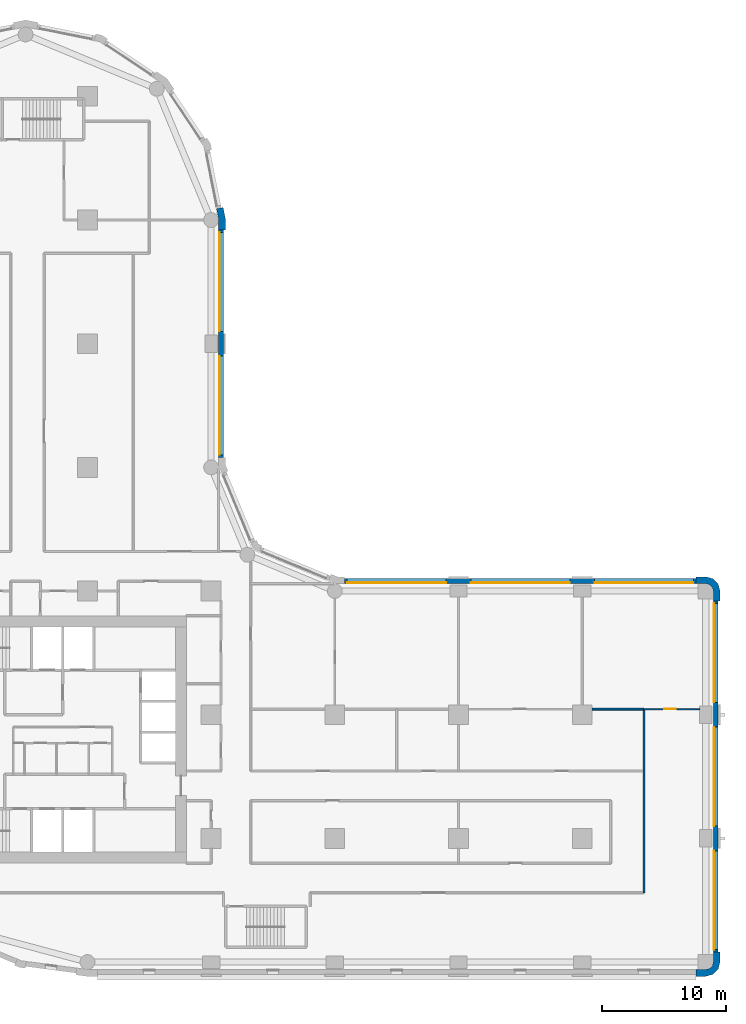
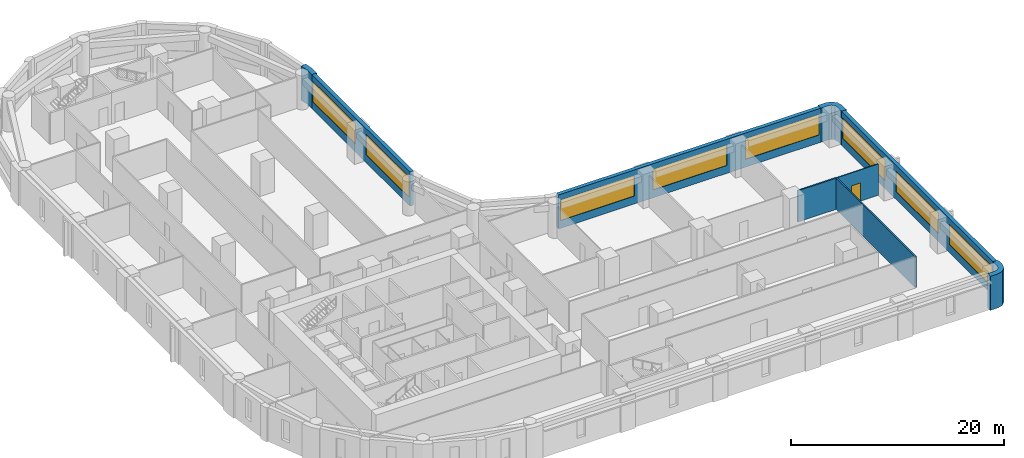
# One storey, part 6 of 10: 9 walls, 8 windows, 1 door, 9 openings.
"""IFC4 building model written with IfcOpenShell, lengths in metres."""

from ifc_helpers import new_model, si_unit, direction, frame, frame_2d, origin, place, context, subcontext, project, spatial, polyline, rectangle, outline, extrude, material, layer, layer_set, type_object, element, fill, save


model = new_model("IFC4")

# Units and contexts
model_context = context("Model", 3, precision=1e-05, world=origin(), true_north=direction((0.0, 1.0)))
body_context = subcontext(model_context, "Body", "Model", "MODEL_VIEW")
ifc_project = project(units=[si_unit("LENGTHUNIT", "METRE"), si_unit("AREAUNIT", "SQUARE_METRE"), si_unit("VOLUMEUNIT", "CUBIC_METRE"), si_unit("PLANEANGLEUNIT", "RADIAN"), si_unit("MASSUNIT", "GRAM", prefix="KILO")], contexts=[model_context])

# Site, building, storey
site_placement = place(None, origin())
site = spatial("IfcSite", under=ifc_project, at=site_placement, CompositionType="ELEMENT")
building_placement = place(site_placement, origin())
building = spatial("IfcBuilding", under=site, at=building_placement, Name="Qaws Garden Tower", CompositionType="ELEMENT")
storey_placement = place(building_placement, frame((0.0, 0.0, 70.5)))
storey = spatial("IfcBuildingStorey", under=building, at=storey_placement, Name="L17", CompositionType="ELEMENT", Elevation=70.5)

# Walls
ifc_material_1 = material(Name="Clay facing brick masonry", Category="masonry")
ifc_layer_1 = layer(ifc_material_1, 0.550048828125)
ifc_layer_set_1 = layer_set([ifc_layer_1], Name="Clay facing brick masonry")
wall_type_1 = type_object("IfcWallType", Name="Brick corner pier 550 x 2400", PredefinedType="SOLIDWALL", material=ifc_layer_set_1)
placement = place(storey_placement, origin())
element("IfcWall", 1, at=placement, inside=storey, type_object=wall_type_1, Name="E-L17-pier-05", PredefinedType="SOLIDWALL", context=body_context, shape_type="SweptSolid", body=[
    extrude(outline(polyline([(69.199951171875, -1.0), (69.199951171875, -1.14990234375), (70.0, -1.14990234375), (70.574951171875, -0.995849609375), (70.995849609375, -0.574951171875), (71.14990234375, 0.0), (71.14990234375, 0.800048828125), (71.0, 0.800048828125), (70.60009765625, 0.800048828125), (70.60009765625, 0.0), (70.51953125, -0.300048828125), (70.300048828125, -0.51953125), (70.0, -0.60009765625), (69.199951171875, -0.60009765625), (69.199951171875, -1.0)])), origin(), (0.0, 0.0, 1.0), 3.89990234375),
])
element("IfcWall", 2, at=placement, inside=storey, type_object=wall_type_1, Name="E-L17-pier-08", PredefinedType="SOLIDWALL", context=body_context, shape_type="SweptSolid", body=[
    extrude(outline(polyline([(71.0, 29.199951171875), (71.14990234375, 29.199951171875), (71.14990234375, 30.0), (70.995849609375, 30.574951171875), (70.574951171875, 30.995849609375), (70.0, 31.14990234375), (69.199951171875, 31.14990234375), (69.199951171875, 31.0), (69.199951171875, 30.60009765625), (70.0, 30.60009765625), (70.300048828125, 30.51953125), (70.51953125, 30.300048828125), (70.60009765625, 30.0), (70.60009765625, 29.199951171875), (71.0, 29.199951171875)])), origin(), (0.0, 0.0, 1.0), 3.89990234375),
])

# Wall, openings, windows
ifc_material_2 = material(Name="Clay facing brick masonry", Category="masonry")
ifc_layer_2 = layer(ifc_material_2, 0.39990234375)
ifc_layer_set_2 = layer_set([ifc_layer_2], Name="Clay facing brick masonry")
wall_type_2 = type_object("IfcWallType", Name="Brick infill wall 400", PredefinedType="SOLIDWALL", material=ifc_layer_set_2)
wall_3_placement = place(storey_placement, frame((70.800048828125, 0.800048828125, 0.0), z_axis=(0.0, 0.0, 1.0), x_axis=(0.0, 1.0, 0.0)))
wall_3 = element("IfcWall", 3, at=wall_3_placement, inside=storey, type_object=wall_type_2, Name="E-L17-infill-05", PredefinedType="SOLIDWALL", context=body_context, shape_type="SweptSolid", body=[
    extrude(rectangle(XDim=28.39990234375, YDim=0.39990234375, at=frame_2d((14.199951171875, 0.0))), origin(), (0.0, 0.0, 1.0), 3.89990234375),
])
opening_1_placement = place(wall_3_placement, frame((0.199951171875, 0.0, 0.89990234375)))
opening_1 = element("IfcOpeningElement", 4, at=opening_1_placement, cuts=wall_3, Name="Opening W01", PredefinedType="OPENING", context=body_context, shape_type="SweptSolid", body=[
    extrude(rectangle(XDim=8.0, YDim=2.35009765625, at=frame_2d((4.0, 1.175048828125))), frame((0.0, 0.2099609375, 0.0), z_axis=(0.0, -1.0, 0.0), x_axis=(1.0, 0.0, 0.0)), (0.0, 0.0, 1.0), 0.419921875),
])
opening_2_placement = place(wall_3_placement, frame((10.199951171875, 0.0, 0.89990234375)))
opening_2 = element("IfcOpeningElement", 5, at=opening_2_placement, cuts=wall_3, Name="Opening W01", PredefinedType="OPENING", context=body_context, shape_type="SweptSolid", body=[
    extrude(rectangle(XDim=8.0, YDim=2.35009765625, at=frame_2d((4.0, 1.175048828125))), frame((0.0, 0.2099609375, 0.0), z_axis=(0.0, -1.0, 0.0), x_axis=(1.0, 0.0, 0.0)), (0.0, 0.0, 1.0), 0.419921875),
])
opening_3_placement = place(wall_3_placement, frame((20.199951171875, 0.0, 0.89990234375)))
opening_3 = element("IfcOpeningElement", 6, at=opening_3_placement, cuts=wall_3, Name="Opening W01", PredefinedType="OPENING", context=body_context, shape_type="SweptSolid", body=[
    extrude(rectangle(XDim=8.0, YDim=2.35009765625, at=frame_2d((4.0, 1.175048828125))), frame((0.0, 0.2099609375, 0.0), z_axis=(0.0, -1.0, 0.0), x_axis=(1.0, 0.0, 0.0)), (0.0, 0.0, 1.0), 0.419921875),
])
ifc_material_3 = material(Name="Aluminium framed window, clear glazing", Category="aluminium")
window_type = type_object("IfcWindowType", Name="Ribbon window 8000 x 2350", PartitioningType="DOUBLE_PANEL_VERTICAL", PredefinedType="WINDOW", material=ifc_material_3)
window_1_placement = place(opening_1_placement, origin())
window_1 = element("IfcWindow", 7, at=window_1_placement, inside=storey, type_object=window_type, Name="E-L17-window-05-0", OverallHeight=2.35009765625, OverallWidth=8.0, PartitioningType="SINGLE_PANEL", PredefinedType="WINDOW", context=body_context, shape_type="SweptSolid", body=[
    extrude(rectangle(XDim=8.0, YDim=2.35009765625, at=frame_2d((4.0, 1.175048828125))), frame((0.0, 0.159912109375, 0.0), z_axis=(0.0, -1.0, 0.0), x_axis=(1.0, 0.0, 0.0)), (0.0, 0.0, 1.0), 0.06005859375),
])
fill(opening_1, window_1)
window_2_placement = place(opening_2_placement, origin())
window_2 = element("IfcWindow", 8, at=window_2_placement, inside=storey, type_object=window_type, Name="E-L17-window-06-0", OverallHeight=2.35009765625, OverallWidth=8.0, PartitioningType="SINGLE_PANEL", PredefinedType="WINDOW", context=body_context, shape_type="SweptSolid", body=[
    extrude(rectangle(XDim=8.0, YDim=2.35009765625, at=frame_2d((4.0, 1.175048828125))), frame((0.0, 0.159912109375, 0.0), z_axis=(0.0, -1.0, 0.0), x_axis=(1.0, 0.0, 0.0)), (0.0, 0.0, 1.0), 0.06005859375),
])
fill(opening_2, window_2)
window_3_placement = place(opening_3_placement, origin())
window_3 = element("IfcWindow", 9, at=window_3_placement, inside=storey, type_object=window_type, Name="E-L17-window-07-0", OverallHeight=2.35009765625, OverallWidth=8.0, PartitioningType="SINGLE_PANEL", PredefinedType="WINDOW", context=body_context, shape_type="SweptSolid", body=[
    extrude(rectangle(XDim=8.0, YDim=2.35009765625, at=frame_2d((4.0, 1.175048828125))), frame((0.0, 0.159912109375, 0.0), z_axis=(0.0, -1.0, 0.0), x_axis=(1.0, 0.0, 0.0)), (0.0, 0.0, 1.0), 0.06005859375),
])
fill(opening_3, window_3)

wall_4_placement = place(storey_placement, frame((69.199951171875, 30.800048828125, 0.0), z_axis=(0.0, 0.0, 1.0), x_axis=(-1.0, 0.0, 0.0)))
wall_4 = element("IfcWall", 10, at=wall_4_placement, inside=storey, type_object=wall_type_2, Name="E-L17-infill-08", PredefinedType="SOLIDWALL", context=body_context, shape_type="SweptSolid", body=[
    extrude(rectangle(XDim=28.39990234375, YDim=0.39990234375, at=frame_2d((14.199951171875, 0.0))), origin(), (0.0, 0.0, 1.0), 3.89990234375),
])
opening_4_placement = place(wall_4_placement, frame((0.199951171875, 0.0, 0.89990234375)))
opening_4 = element("IfcOpeningElement", 11, at=opening_4_placement, cuts=wall_4, Name="Opening W01", PredefinedType="OPENING", context=body_context, shape_type="SweptSolid", body=[
    extrude(rectangle(XDim=8.0, YDim=2.35009765625, at=frame_2d((4.0, 1.175048828125))), frame((0.0, 0.2099609375, 0.0), z_axis=(0.0, -1.0, 0.0), x_axis=(1.0, 0.0, 0.0)), (0.0, 0.0, 1.0), 0.419921875),
])
opening_5_placement = place(wall_4_placement, frame((10.199951171875, 0.0, 0.89990234375)))
opening_5 = element("IfcOpeningElement", 12, at=opening_5_placement, cuts=wall_4, Name="Opening W01", PredefinedType="OPENING", context=body_context, shape_type="SweptSolid", body=[
    extrude(rectangle(XDim=8.0, YDim=2.35009765625, at=frame_2d((4.0, 1.175048828125))), frame((0.0, 0.2099609375, 0.0), z_axis=(0.0, -1.0, 0.0), x_axis=(1.0, 0.0, 0.0)), (0.0, 0.0, 1.0), 0.419921875),
])
opening_6_placement = place(wall_4_placement, frame((20.199951171875, 0.0, 0.89990234375)))
opening_6 = element("IfcOpeningElement", 13, at=opening_6_placement, cuts=wall_4, Name="Opening W01", PredefinedType="OPENING", context=body_context, shape_type="SweptSolid", body=[
    extrude(rectangle(XDim=8.0, YDim=2.35009765625, at=frame_2d((4.0, 1.175048828125))), frame((0.0, 0.2099609375, 0.0), z_axis=(0.0, -1.0, 0.0), x_axis=(1.0, 0.0, 0.0)), (0.0, 0.0, 1.0), 0.419921875),
])
window_4_placement = place(opening_4_placement, origin())
window_4 = element("IfcWindow", 14, at=window_4_placement, inside=storey, type_object=window_type, Name="E-L17-window-08-0", OverallHeight=2.35009765625, OverallWidth=8.0, PartitioningType="SINGLE_PANEL", PredefinedType="WINDOW", context=body_context, shape_type="SweptSolid", body=[
    extrude(rectangle(XDim=8.0, YDim=2.35009765625, at=frame_2d((4.0, 1.175048828125))), frame((0.0, 0.159912109375, 0.0), z_axis=(0.0, -1.0, 0.0), x_axis=(1.0, 0.0, 0.0)), (0.0, 0.0, 1.0), 0.06005859375),
])
fill(opening_4, window_4)
window_5_placement = place(opening_5_placement, origin())
window_5 = element("IfcWindow", 15, at=window_5_placement, inside=storey, type_object=window_type, Name="E-L17-window-09-0", OverallHeight=2.35009765625, OverallWidth=8.0, PartitioningType="SINGLE_PANEL", PredefinedType="WINDOW", context=body_context, shape_type="SweptSolid", body=[
    extrude(rectangle(XDim=8.0, YDim=2.35009765625, at=frame_2d((4.0, 1.175048828125))), frame((0.0, 0.159912109375, 0.0), z_axis=(0.0, -1.0, 0.0), x_axis=(1.0, 0.0, 0.0)), (0.0, 0.0, 1.0), 0.06005859375),
])
fill(opening_5, window_5)
window_6_placement = place(opening_6_placement, origin())
window_6 = element("IfcWindow", 16, at=window_6_placement, inside=storey, type_object=window_type, Name="E-L17-window-10-0", OverallHeight=2.35009765625, OverallWidth=8.0, PartitioningType="SINGLE_PANEL", PredefinedType="WINDOW", context=body_context, shape_type="SweptSolid", body=[
    extrude(rectangle(XDim=8.0, YDim=2.35009765625, at=frame_2d((4.0, 1.175048828125))), frame((0.0, 0.159912109375, 0.0), z_axis=(0.0, -1.0, 0.0), x_axis=(1.0, 0.0, 0.0)), (0.0, 0.0, 1.0), 0.06005859375),
])
fill(opening_6, window_6)

wall_5_placement = place(storey_placement, frame((30.800048828125, 40.800048828125, 0.0), z_axis=(0.0, 0.0, 1.0), x_axis=(0.0, 1.0, 0.0)))
wall_5 = element("IfcWall", 17, at=wall_5_placement, inside=storey, type_object=wall_type_2, Name="E-L17-infill-13", PredefinedType="SOLIDWALL", context=body_context, shape_type="SweptSolid", body=[
    extrude(rectangle(XDim=18.39990234375, YDim=0.39990234375, at=frame_2d((9.199951171875, 0.0))), origin(), (0.0, 0.0, 1.0), 3.89990234375),
])
opening_7_placement = place(wall_5_placement, frame((0.199951171875, 0.0, 0.89990234375)))
opening_7 = element("IfcOpeningElement", 18, at=opening_7_placement, cuts=wall_5, Name="Opening W01", PredefinedType="OPENING", context=body_context, shape_type="SweptSolid", body=[
    extrude(rectangle(XDim=8.0, YDim=2.35009765625, at=frame_2d((4.0, 1.175048828125))), frame((0.0, 0.2099609375, 0.0), z_axis=(0.0, -1.0, 0.0), x_axis=(1.0, 0.0, 0.0)), (0.0, 0.0, 1.0), 0.419921875),
])
opening_8_placement = place(wall_5_placement, frame((10.199951171875, 0.0, 0.89990234375)))
opening_8 = element("IfcOpeningElement", 19, at=opening_8_placement, cuts=wall_5, Name="Opening W01", PredefinedType="OPENING", context=body_context, shape_type="SweptSolid", body=[
    extrude(rectangle(XDim=8.0, YDim=2.35009765625, at=frame_2d((4.0, 1.175048828125))), frame((0.0, 0.2099609375, 0.0), z_axis=(0.0, -1.0, 0.0), x_axis=(1.0, 0.0, 0.0)), (0.0, 0.0, 1.0), 0.419921875),
])
window_7_placement = place(opening_7_placement, origin())
window_7 = element("IfcWindow", 20, at=window_7_placement, inside=storey, type_object=window_type, Name="E-L17-window-13-0", OverallHeight=2.35009765625, OverallWidth=8.0, PartitioningType="SINGLE_PANEL", PredefinedType="WINDOW", context=body_context, shape_type="SweptSolid", body=[
    extrude(rectangle(XDim=8.0, YDim=2.35009765625, at=frame_2d((4.0, 1.175048828125))), frame((0.0, 0.159912109375, 0.0), z_axis=(0.0, -1.0, 0.0), x_axis=(1.0, 0.0, 0.0)), (0.0, 0.0, 1.0), 0.06005859375),
])
fill(opening_7, window_7)
window_8_placement = place(opening_8_placement, origin())
window_8 = element("IfcWindow", 21, at=window_8_placement, inside=storey, type_object=window_type, Name="E-L17-window-14-0", OverallHeight=2.35009765625, OverallWidth=8.0, PartitioningType="SINGLE_PANEL", PredefinedType="WINDOW", context=body_context, shape_type="SweptSolid", body=[
    extrude(rectangle(XDim=8.0, YDim=2.35009765625, at=frame_2d((4.0, 1.175048828125))), frame((0.0, 0.159912109375, 0.0), z_axis=(0.0, -1.0, 0.0), x_axis=(1.0, 0.0, 0.0)), (0.0, 0.0, 1.0), 0.06005859375),
])
fill(opening_8, window_8)

# Wall
ifc_material_4 = material(Name="Clay facing brick masonry", Category="masonry")
ifc_layer_3 = layer(ifc_material_4, 0.550048828125)
ifc_layer_set_3 = layer_set([ifc_layer_3], Name="Clay facing brick masonry")
wall_type_3 = type_object("IfcWallType", Name="Brick pier 550 x 1600", PredefinedType="SOLIDWALL", material=ifc_layer_set_3)
element("IfcWall", 22, at=placement, inside=storey, type_object=wall_type_3, Name="E-L17-pier-15", PredefinedType="SOLIDWALL", context=body_context, shape_type="SweptSolid", body=[
    extrude(outline(polyline([(31.0, 59.199951171875), (31.14990234375, 59.199951171875), (31.14990234375, 60.11328125), (30.971923828125, 61.009033203125), (30.82470703125, 60.979736328125), (30.432373046875, 60.901611328125), (30.60009765625, 60.05908203125), (30.60009765625, 59.199951171875), (31.0, 59.199951171875)])), origin(), (0.0, 0.0, 1.0), 3.89990234375),
])

# Wall, opening, door
ifc_material_5 = material(Name="Gypsum board partition")
ifc_layer_4 = layer(ifc_material_5, 0.10009765625)
ifc_layer_set_4 = layer_set([ifc_layer_4], Name="Gypsum board partition")
wall_type_4 = type_object("IfcWallType", Name="PARTITION 100", PredefinedType="PARTITIONING", material=ifc_layer_set_4)
wall_7_placement = place(storey_placement, frame((65.0, 20.449951171875, 0.0), z_axis=(0.0, 0.0, 1.0), x_axis=(1.0, 0.0, 0.0)))
wall_7 = element("IfcWall", 23, at=wall_7_placement, inside=storey, type_object=wall_type_4, Name="O-L17-wall-003", PredefinedType="PARTITIONING", context=body_context, shape_type="SweptSolid", body=[
    extrude(rectangle(XDim=4.5, YDim=0.10009765625, at=frame_2d((2.25, 0.0))), origin(), (0.0, 0.0, 1.0), 3.580078125),
])
opening_9_placement = place(wall_7_placement, frame((1.625, 0.0, 0.0)))
opening_9 = element("IfcOpeningElement", 24, at=opening_9_placement, cuts=wall_7, Name="Opening A628", PredefinedType="OPENING", context=body_context, shape_type="SweptSolid", body=[
    extrude(rectangle(XDim=0.949951171875, YDim=2.10009765625, at=frame_2d((0.47509765625, 1.050048828125))), frame((0.0, 0.06005859375, 0.0), z_axis=(0.0, -1.0, 0.0), x_axis=(1.0, 0.0, 0.0)), (0.0, 0.0, 1.0), 0.1201171875),
])
ifc_material_6 = material(Name="Timber and glass door leaf", Category="wood")
door_type = type_object("IfcDoorType", Name="GLAZED DOOR 950 X 2100", OperationType="SINGLE_SWING_LEFT", PredefinedType="DOOR", material=ifc_material_6)
door_placement = place(opening_9_placement, origin())
door = element("IfcDoor", 25, at=door_placement, inside=storey, type_object=door_type, Name="O-L17-door-028", OperationType="SINGLE_SWING_LEFT", OverallHeight=2.10009765625, OverallWidth=0.949951171875, PredefinedType="DOOR", context=body_context, shape_type="SweptSolid", body=[
    extrude(rectangle(XDim=0.949951171875, YDim=2.10009765625, at=frame_2d((0.47509765625, 1.050048828125))), frame((0.0, 0.02490234375, 0.0), z_axis=(0.0, -1.0, 0.0), x_axis=(1.0, 0.0, 0.0)), (0.0, 0.0, 1.0), 0.050048828125),
])
fill(opening_9, door)

# Walls
ifc_material_7 = material(Name="Gypsum board partition")
ifc_layer_5 = layer(ifc_material_7, 0.14990234375)
ifc_layer_set_5 = layer_set([ifc_layer_5], Name="Gypsum board partition")
wall_type_5 = type_object("IfcWallType", Name="PARTITION 150 EI 60", PredefinedType="PARTITIONING", material=ifc_layer_set_5)
wall_8_placement = place(storey_placement, frame((65.0, 5.60009765625, 0.0), z_axis=(0.0, 0.0, 1.0), x_axis=(0.0, 1.0, 0.0)))
element("IfcWall", 26, at=wall_8_placement, inside=storey, type_object=wall_type_5, Name="O-L17-wall-032", PredefinedType="PARTITIONING", context=body_context, shape_type="SweptSolid", body=[
    extrude(rectangle(XDim=14.849853515625, YDim=0.14990234375, at=frame_2d((7.4248046875, 0.0))), origin(), (0.0, 0.0, 1.0), 3.580078125),
])
wall_9_placement = place(storey_placement, frame((60.800048828125, 20.449951171875, 0.0), z_axis=(0.0, 0.0, 1.0), x_axis=(1.0, 0.0, 0.0)))
element("IfcWall", 27, at=wall_9_placement, inside=storey, type_object=wall_type_5, Name="O-L17-wall-045", PredefinedType="PARTITIONING", context=body_context, shape_type="SweptSolid", body=[
    extrude(rectangle(XDim=4.199951171875, YDim=0.14990234375, at=frame_2d((2.10009765625, 0.0))), origin(), (0.0, 0.0, 1.0), 3.580078125),
])

save(model, "model.ifc")
